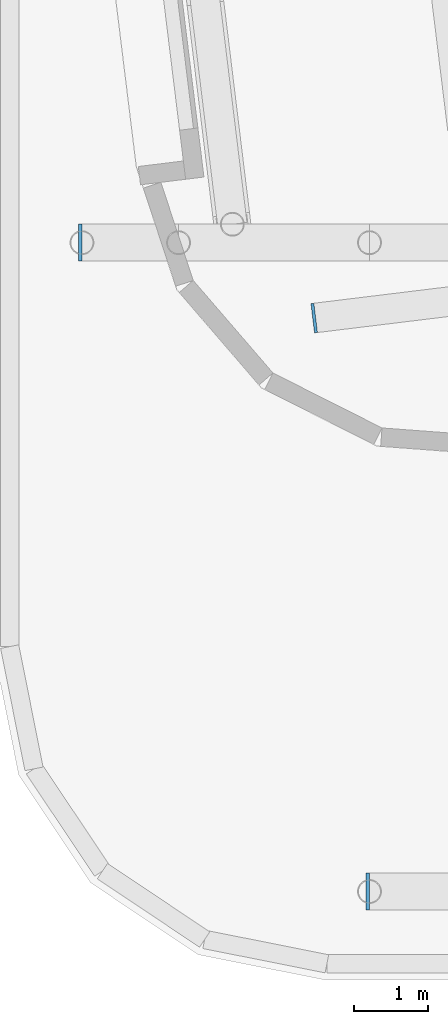
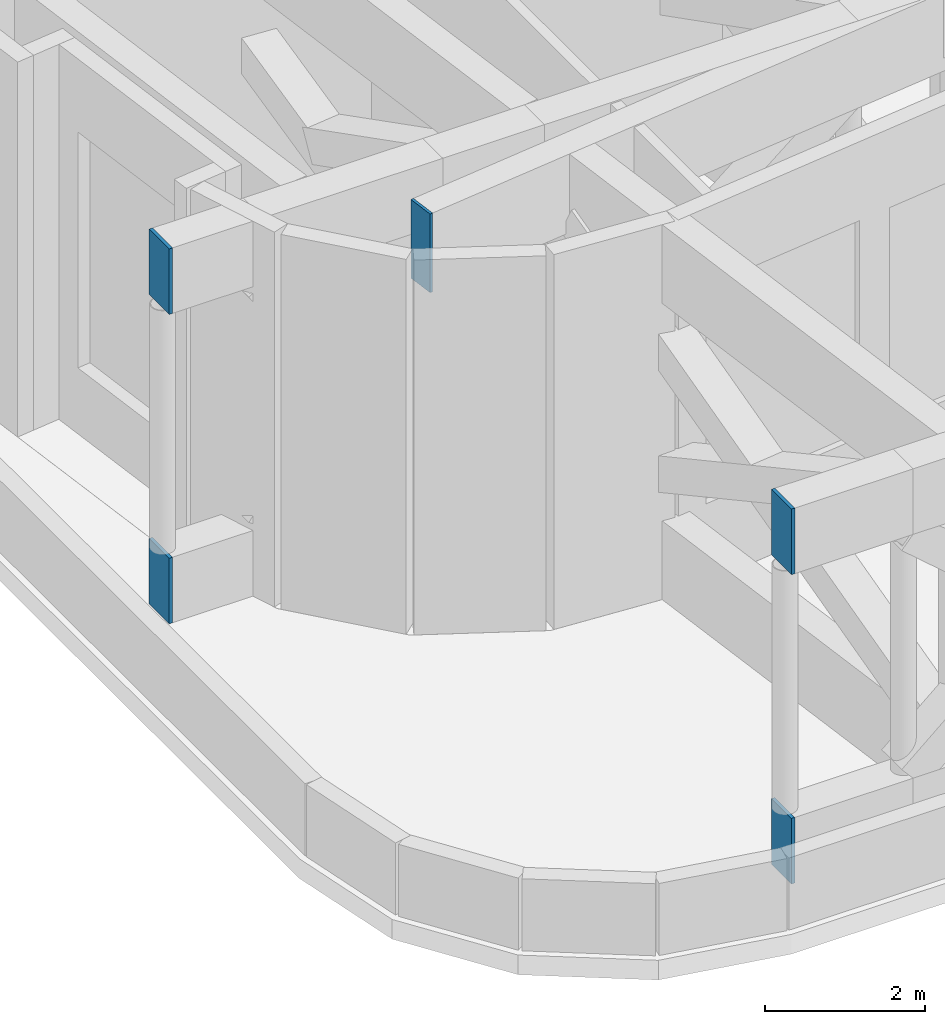
# One storey, part 5 of 16: 5 plates.
"""IFC4 building model written with IfcOpenShell, lengths in metres."""

from ifc_helpers import new_model, si_unit, direction, frame, origin, origin_2d, place, context, subcontext, project, spatial, rectangle, extrude, material, layer, layer_set, type_object, element, save


model = new_model("IFC4")

# Units and contexts
model_context = context("Model", 3, precision=1e-05, world=origin(), true_north=direction((0.0, 1.0)))
body_context = subcontext(model_context, "Body", "Model", "MODEL_VIEW")
ifc_project = project(units=[si_unit("LENGTHUNIT", "METRE"), si_unit("AREAUNIT", "SQUARE_METRE"), si_unit("VOLUMEUNIT", "CUBIC_METRE"), si_unit("PLANEANGLEUNIT", "RADIAN"), si_unit("MASSUNIT", "GRAM", prefix="KILO")], contexts=[model_context])

# Site, building, storey
site_placement = place(None, origin())
site = spatial("IfcSite", under=ifc_project, at=site_placement, CompositionType="ELEMENT")
building_placement = place(site_placement, origin())
building = spatial("IfcBuilding", under=site, at=building_placement, Name="Torana Hotel and Residences", CompositionType="ELEMENT")
storey_placement = place(building_placement, frame((0.0, 0.0, 308.60009765625)))
storey = spatial("IfcBuildingStorey", under=building, at=storey_placement, Name="L82", CompositionType="ELEMENT", Elevation=308.60009765625)

# Plates
ifc_material_1 = material(Name="Steel S355", Category="steel")
ifc_layer_1 = layer(ifc_material_1, 0.0400390625)
ifc_layer_set_1 = layer_set([ifc_layer_1], Name="STEEL END PLATE 40")
plate_type_1 = type_object("IfcPlateType", Name="STEEL END PLATE 40", PredefinedType="SHEET", material=ifc_layer_set_1)
plate_placement = place(storey_placement, frame((-18.75, -24.822509765625, 4.52001953125), z_axis=(0.0, 0.0, 1.0), x_axis=(-0.992624856049, -0.121226627244, 0.0)))
element("IfcPlate", 1, at=plate_placement, inside=storey, type_object=plate_type_1, Name="End plate L82", PredefinedType="SHEET", context=body_context, shape_type="SweptSolid", body=[
    extrude(rectangle(XDim=0.0400390625, YDim=0.39990234375, at=origin_2d()), origin(), (0.0, 0.0, 1.0), 1.199951171875),
])
ifc_material_2 = material(Name="Steel S355", Category="steel")
ifc_layer_2 = layer(ifc_material_2, 0.050048828125)
ifc_layer_set_2 = layer_set([ifc_layer_2], Name="STEEL END PLATE 50")
plate_type_2 = type_object("IfcPlateType", Name="STEEL END PLATE 50", PredefinedType="SHEET", material=ifc_layer_set_2)
for number, where, z_axis, x_axis, name in (
    (2, (-18.02490234375, -32.60009765625, 0.0), (0.0, 0.0, 1.0), (-1.0, 0.0, 0.0), "End plate L82"),
    (3, (-18.02490234375, -32.60009765625, 4.719970703125), (0.0, 0.0, 1.0), (-1.0, 0.0, 0.0), "End plate L82"),
    (4, (-21.925048828125, -23.800048828125, 0.0), (0.0, 0.0, 1.0), (-1.0, 0.0, 0.0), "End plate L82"),
    (5, (-21.925048828125, -23.800048828125, 4.719970703125), (0.0, 0.0, 1.0), (-1.0, 0.0, 0.0), "End plate L82"),
):
    element("IfcPlate", number, at=place(storey_placement, frame(where, z_axis=z_axis, x_axis=x_axis)), inside=storey, type_object=plate_type_2, Name=name, PredefinedType="SHEET", context=body_context, shape_type="SweptSolid", body=[
        extrude(rectangle(XDim=0.050048828125, YDim=0.5, at=origin_2d()), origin(), (0.0, 0.0, 1.0), 1.0),
    ])

save(model, "model.ifc")
